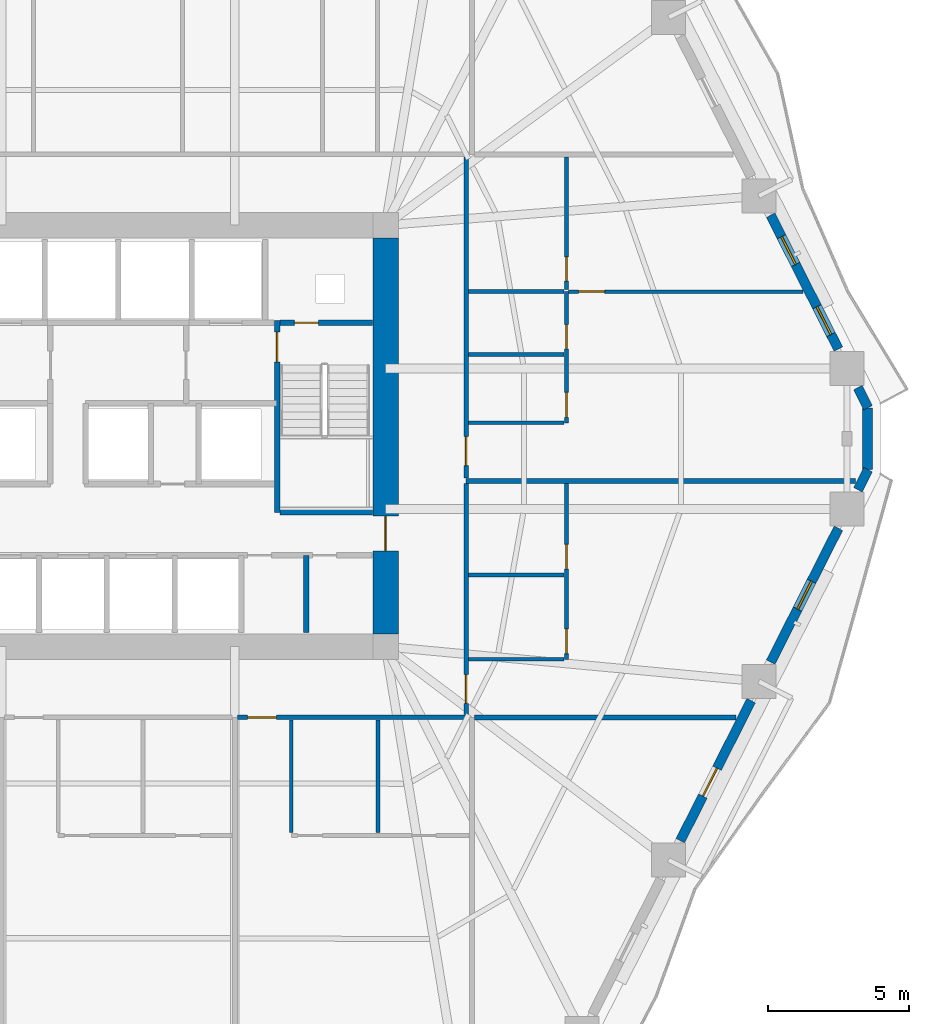
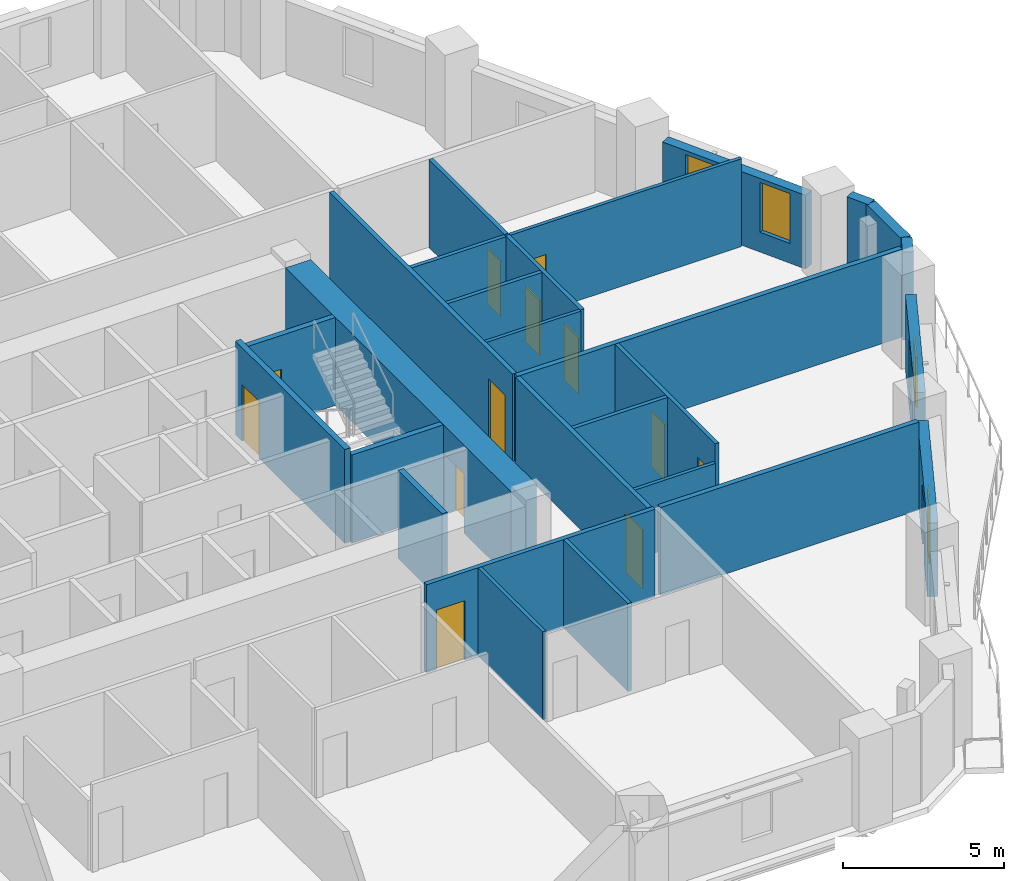
# One storey, part 6 of 14: 27 walls, 13 doors, 3 windows, 16 openings.
"""IFC4 building model written with IfcOpenShell, lengths in metres."""

from ifc_helpers import new_model, si_unit, direction, frame, frame_2d, origin, place, context, subcontext, project, spatial, rectangle, extrude, material, layer, layer_set, type_object, element, fill, save


model = new_model("IFC4")

# Units and contexts
model_context = context("Model", 3, precision=1e-05, world=origin(), true_north=direction((0.0, 1.0)))
body_context = subcontext(model_context, "Body", "Model", "MODEL_VIEW")
ifc_project = project(units=[si_unit("LENGTHUNIT", "METRE"), si_unit("AREAUNIT", "SQUARE_METRE"), si_unit("VOLUMEUNIT", "CUBIC_METRE"), si_unit("PLANEANGLEUNIT", "RADIAN"), si_unit("MASSUNIT", "GRAM", prefix="KILO")], contexts=[model_context])

# Site, building, storey
site_placement = place(None, origin())
site = spatial("IfcSite", under=ifc_project, at=site_placement, CompositionType="ELEMENT")
building_placement = place(site_placement, origin())
building = spatial("IfcBuilding", under=site, at=building_placement, Name="Cinnabar Lancet Tower", CompositionType="ELEMENT")
storey_placement = place(building_placement, frame((0.0, 0.0, 39.10009765625)))
storey = spatial("IfcBuildingStorey", under=building, at=storey_placement, Name="L09", CompositionType="ELEMENT", Elevation=39.10009765625)

# Wall, opening, door
ifc_material_1 = material(Name="Acoustic twin-stud gypsum partition", Category="gypsum")
ifc_layer_1 = layer(ifc_material_1, 0.159912109375)
ifc_layer_set_1 = layer_set([ifc_layer_1], Name="Acoustic twin-stud gypsum partition")
wall_type_1 = type_object("IfcWallType", Name="ARC-WL-CORR-160", PredefinedType="PARTITIONING", material=ifc_layer_set_1)
wall_1_placement = place(storey_placement, frame((36.616943359375, 15.949951171875, 0.0), z_axis=(0.0, 0.0, 1.0), x_axis=(1.0, 0.0, 0.0)))
wall_1 = element("IfcWall", 1, at=wall_1_placement, inside=storey, type_object=wall_type_1, Name="L09 Unit S03 Corridor Wall", PredefinedType="PARTITIONING", context=body_context, shape_type="SweptSolid", body=[
    extrude(rectangle(XDim=8.18798828125, YDim=0.159912109375, at=frame_2d((4.093994140625, 0.0))), origin(), (0.0, 0.0, 1.0), 3.329833984375),
])
opening_1_placement = place(wall_1_placement, frame((0.35498046875, 0.0, 0.0)))
opening_1 = element("IfcOpeningElement", 2, at=opening_1_placement, cuts=wall_1, Name="Opening UD-01", PredefinedType="OPENING", context=body_context, shape_type="SweptSolid", body=[
    extrude(rectangle(XDim=1.02001953125, YDim=2.25, at=frame_2d((0.510009765625, 1.125))), frame((0.0, 0.08984375, 0.0), z_axis=(0.0, -1.0, 0.0), x_axis=(1.0, 0.0, 0.0)), (0.0, 0.0, 1.0), 0.179931640625),
])
ifc_material_2 = material(Name="Solid timber fire-rated apartment entrance door", Category="wood")
door_type_1 = type_object("IfcDoorType", Name="ARC-DR-UNIT", OperationType="NOTDEFINED", PredefinedType="DOOR", material=ifc_material_2)
door_1_placement = place(opening_1_placement, origin())
door_1 = element("IfcDoor", 3, at=door_1_placement, inside=storey, type_object=door_type_1, Name="DR-L09-S03-ENT", OperationType="SINGLE_SWING_LEFT", OverallHeight=2.25, OverallWidth=1.02001953125, PredefinedType="DOOR", context=body_context, shape_type="SweptSolid", body=[
    extrude(rectangle(XDim=1.02001953125, YDim=2.25, at=frame_2d((0.510009765625, 1.125))), frame((0.0, 0.02490234375, 0.0), z_axis=(0.0, -1.0, 0.0), x_axis=(1.0, 0.0, 0.0)), (0.0, 0.0, 1.0), 0.050048828125),
])
fill(opening_1, door_1)

wall_2_placement = place(storey_placement, frame((44.699951171875, 16.044921875, 0.0), z_axis=(0.0, 0.0, 1.0), x_axis=(0.0, 1.0, 0.0)))
wall_2 = element("IfcWall", 4, at=wall_2_placement, inside=storey, type_object=wall_type_1, Name="UW-L09-E01-COR", PredefinedType="PARTITIONING", context=body_context, shape_type="SweptSolid", body=[
    extrude(rectangle(XDim=8.16796875, YDim=0.159912109375, at=frame_2d((4.083984375, 0.0))), origin(), (0.0, 0.0, 1.0), 3.329833984375),
])
opening_2_placement = place(wall_2_placement, frame((0.39990234375, 0.0, 0.0)))
opening_2 = element("IfcOpeningElement", 5, at=opening_2_placement, cuts=wall_2, Name="Opening UD-01", PredefinedType="OPENING", context=body_context, shape_type="SweptSolid", body=[
    extrude(rectangle(XDim=1.02001953125, YDim=2.25, at=frame_2d((0.510009765625, 1.125))), frame((0.0, 0.08984375, 0.0), z_axis=(0.0, -1.0, 0.0), x_axis=(1.0, 0.0, 0.0)), (0.0, 0.0, 1.0), 0.179931640625),
])
door_2_placement = place(opening_2_placement, origin())
door_2 = element("IfcDoor", 6, at=door_2_placement, inside=storey, type_object=door_type_1, Name="DR-L09-E01-ENT", OperationType="SINGLE_SWING_RIGHT", OverallHeight=2.25, OverallWidth=1.02001953125, PredefinedType="DOOR", context=body_context, shape_type="SweptSolid", body=[
    extrude(rectangle(XDim=1.02001953125, YDim=2.25, at=frame_2d((0.510009765625, 1.125))), frame((0.0, 0.02490234375, 0.0), z_axis=(0.0, -1.0, 0.0), x_axis=(1.0, 0.0, 0.0)), (0.0, 0.0, 1.0), 0.050048828125),
])
fill(opening_2, door_2)

wall_3_placement = place(storey_placement, frame((44.699951171875, 24.403076171875, 0.0), z_axis=(0.0, 0.0, 1.0), x_axis=(0.0, 1.0, 0.0)))
wall_3 = element("IfcWall", 7, at=wall_3_placement, inside=storey, type_object=wall_type_1, Name="UW-L09-E02-COR", PredefinedType="PARTITIONING", context=body_context, shape_type="SweptSolid", body=[
    extrude(rectangle(XDim=11.351806640625, YDim=0.159912109375, at=frame_2d((5.67578125, 0.0))), origin(), (0.0, 0.0, 1.0), 3.329833984375),
])
opening_3_placement = place(wall_3_placement, frame((0.449951171875, 0.0, 0.0)))
opening_3 = element("IfcOpeningElement", 8, at=opening_3_placement, cuts=wall_3, Name="Opening UD-01", PredefinedType="OPENING", context=body_context, shape_type="SweptSolid", body=[
    extrude(rectangle(XDim=1.02001953125, YDim=2.25, at=frame_2d((0.510009765625, 1.125))), frame((0.0, 0.08984375, 0.0), z_axis=(0.0, -1.0, 0.0), x_axis=(1.0, 0.0, 0.0)), (0.0, 0.0, 1.0), 0.179931640625),
])
door_3_placement = place(opening_3_placement, origin())
door_3 = element("IfcDoor", 9, at=door_3_placement, inside=storey, type_object=door_type_1, Name="DR-L09-E02-ENT", OperationType="SINGLE_SWING_LEFT", OverallHeight=2.25, OverallWidth=1.02001953125, PredefinedType="DOOR", context=body_context, shape_type="SweptSolid", body=[
    extrude(rectangle(XDim=1.02001953125, YDim=2.25, at=frame_2d((0.510009765625, 1.125))), frame((0.0, 0.02490234375, 0.0), z_axis=(0.0, -1.0, 0.0), x_axis=(1.0, 0.0, 0.0)), (0.0, 0.0, 1.0), 0.050048828125),
])
fill(opening_3, door_3)

# Walls
ifc_material_3 = material(Name="Fire-rated twin-frame acoustic drywall", Category="gypsum")
ifc_layer_2 = layer(ifc_material_3, 0.179931640625)
ifc_layer_set_2 = layer_set([ifc_layer_2], Name="Fire-rated twin-frame acoustic drywall")
wall_type_2 = type_object("IfcWallType", Name="ARC-WL-PARTY-180", PredefinedType="PARTITIONING", material=ifc_layer_set_2)
wall_4_placement = place(storey_placement, frame((44.9951171875, 15.949951171875, 0.0), z_axis=(0.0, 0.0, 1.0), x_axis=(1.0, 0.0, 0.0)))
element("IfcWall", 10, at=wall_4_placement, inside=storey, type_object=wall_type_2, Name="PW-L09-ESB", PredefinedType="PARTITIONING", context=body_context, shape_type="SweptSolid", body=[
    extrude(rectangle(XDim=9.240966796875, YDim=0.179931640625, at=frame_2d((4.62060546875, 0.0))), origin(), (0.0, 0.0, 1.0), 3.329833984375),
])
wall_5_placement = place(storey_placement, frame((44.699951171875, 24.30810546875, 0.0), z_axis=(0.0, 0.0, 1.0), x_axis=(1.0, 0.0, 0.0)))
element("IfcWall", 11, at=wall_5_placement, inside=storey, type_object=wall_type_2, Name="PW-L09-EPTY-1", PredefinedType="PARTITIONING", context=body_context, shape_type="SweptSolid", body=[
    extrude(rectangle(XDim=13.76611328125, YDim=0.179931640625, at=frame_2d((6.883056640625, 0.0))), origin(), (0.0, 0.0, 1.0), 3.329833984375),
])
ifc_material_4 = material(Name="Autoclaved aerated concrete blockwork", Category="masonry")
ifc_layer_3 = layer(ifc_material_4, 0.199951171875)
ifc_layer_set_3 = layer_set([ifc_layer_3], Name="Autoclaved aerated concrete blockwork")
wall_type_3 = type_object("IfcWallType", Name="ARC-WL-SHAFT-200", PredefinedType="PLUMBINGWALL", material=ifc_layer_set_3)
wall_6_placement = place(storey_placement, frame((38.125, 23.199951171875, 0.0), z_axis=(0.0, 0.0, 1.0), x_axis=(1.0, 0.0, 0.0)))
element("IfcWall", 12, at=wall_6_placement, inside=storey, type_object=wall_type_3, Name="CW-ST2S-L09", PredefinedType="PLUMBINGWALL", context=body_context, shape_type="SweptSolid", body=[
    extrude(rectangle(XDim=3.27001953125, YDim=0.199951171875, at=frame_2d((1.635009765625, 0.0))), origin(), (0.0, 0.0, 1.0), 3.329833984375),
])

# Wall, opening, door
wall_7_placement = place(storey_placement, frame((38.125, 29.89990234375, 0.0), z_axis=(0.0, 0.0, 1.0), x_axis=(1.0, 0.0, 0.0)))
wall_7 = element("IfcWall", 13, at=wall_7_placement, inside=storey, type_object=wall_type_3, Name="CW-NSH-E-L09", PredefinedType="PLUMBINGWALL", context=body_context, shape_type="SweptSolid", body=[
    extrude(rectangle(XDim=3.27001953125, YDim=0.199951171875, at=frame_2d((1.635009765625, 0.0))), origin(), (0.0, 0.0, 1.0), 3.329833984375),
])
opening_4_placement = place(wall_7_placement, frame((0.5, 0.0, 0.0)))
opening_4 = element("IfcOpeningElement", 14, at=opening_4_placement, cuts=wall_7, Name="Opening PD-02", PredefinedType="OPENING", context=body_context, shape_type="SweptSolid", body=[
    extrude(rectangle(XDim=0.85009765625, YDim=2.050048828125, at=frame_2d((0.425048828125, 1.02490234375))), frame((0.0, 0.10986328125, 0.0), z_axis=(0.0, -1.0, 0.0), x_axis=(1.0, 0.0, 0.0)), (0.0, 0.0, 1.0), 0.219970703125),
])
ifc_material_5 = material(Name="Fire-rated steel riser access door", Category="steel")
door_type_2 = type_object("IfcDoorType", Name="ARC-DR-RISER", OperationType="NOTDEFINED", PredefinedType="DOOR", material=ifc_material_5)
door_4_placement = place(opening_4_placement, origin())
door_4 = element("IfcDoor", 15, at=door_4_placement, inside=storey, type_object=door_type_2, Name="L09 East Riser Access Door", OperationType="SINGLE_SWING_RIGHT", OverallHeight=2.050048828125, OverallWidth=0.85009765625, PredefinedType="DOOR", context=body_context, shape_type="SweptSolid", body=[
    extrude(rectangle(XDim=0.85009765625, YDim=2.050048828125, at=frame_2d((0.425048828125, 1.02490234375))), frame((0.0, 0.02490234375, 0.0), z_axis=(0.0, -1.0, 0.0), x_axis=(1.0, 0.0, 0.0)), (0.0, 0.0, 1.0), 0.050048828125),
])
fill(opening_4, door_4)

# Walls
wall_8_placement = place(storey_placement, frame((39.050048828125, 18.949951171875, 0.0), z_axis=(0.0, 0.0, 1.0), x_axis=(0.0, 1.0, 0.0)))
element("IfcWall", 16, at=wall_8_placement, inside=storey, type_object=wall_type_3, Name="CW-SB-SE-L09", PredefinedType="PLUMBINGWALL", context=body_context, shape_type="SweptSolid", body=[
    extrude(rectangle(XDim=2.72998046875, YDim=0.199951171875, at=frame_2d((1.364990234375, 0.0))), origin(), (0.0, 0.0, 1.0), 3.329833984375),
])
ifc_material_6 = material(Name="Gypsum plasterboard stud partition", Category="gypsum")
ifc_layer_4 = layer(ifc_material_6, 0.125)
ifc_layer_set_4 = layer_set([ifc_layer_4], Name="Gypsum plasterboard stud partition")
wall_type_4 = type_object("IfcWallType", Name="ARC-WL-UNIT-125", PredefinedType="PARTITIONING", material=ifc_layer_set_4)
wall_9_placement = place(storey_placement, frame((38.52197265625, 11.8720703125, 0.0), z_axis=(0.0, 0.0, 1.0), x_axis=(0.0, 1.0, 0.0)))
element("IfcWall", 17, at=wall_9_placement, inside=storey, type_object=wall_type_4, Name="UW-L09-S03-FOYE", PredefinedType="PARTITIONING", context=body_context, shape_type="SweptSolid", body=[
    extrude(rectangle(XDim=3.992919921875, YDim=0.125, at=frame_2d((1.99658203125, 0.0))), origin(), (0.0, 0.0, 1.0), 3.329833984375),
])
wall_10_placement = place(storey_placement, frame((44.784912109375, 18.0, 0.0), z_axis=(0.0, 0.0, 1.0), x_axis=(1.0, 0.0, 0.0)))
element("IfcWall", 18, at=wall_10_placement, inside=storey, type_object=wall_type_4, Name="UW-L09-E01-FOYN", PredefinedType="PARTITIONING", context=body_context, shape_type="SweptSolid", body=[
    extrude(rectangle(XDim=3.380126953125, YDim=0.125, at=frame_2d((1.68994140625, 0.0))), origin(), (0.0, 0.0, 1.0), 2.635986328125),
])
wall_11_placement = place(storey_placement, frame((44.784912109375, 26.35791015625, 0.0), z_axis=(0.0, 0.0, 1.0), x_axis=(1.0, 0.0, 0.0)))
element("IfcWall", 19, at=wall_11_placement, inside=storey, type_object=wall_type_4, Name="UW-L09-E02-FOYN", PredefinedType="PARTITIONING", context=body_context, shape_type="SweptSolid", body=[
    extrude(rectangle(XDim=3.380126953125, YDim=0.125, at=frame_2d((1.68994140625, 0.0))), origin(), (0.0, 0.0, 1.0), 3.329833984375),
])

# Wall, opening, door
wall_12_placement = place(storey_placement, frame((48.324951171875, 31.001953125, 0.0), z_axis=(0.0, 0.0, 1.0), x_axis=(1.0, 0.0, 0.0)))
wall_12 = element("IfcWall", 20, at=wall_12_placement, inside=storey, type_object=wall_type_4, Name="UW-L09-E02-MBN", PredefinedType="PARTITIONING", context=body_context, shape_type="SweptSolid", body=[
    extrude(rectangle(XDim=8.279052734375, YDim=0.125, at=frame_2d((4.1396484375, 0.0))), origin(), (0.0, 0.0, 1.0), 3.329833984375),
])
opening_5_placement = place(wall_12_placement, frame((0.35009765625, 0.0, 0.0)))
opening_5 = element("IfcOpeningElement", 21, at=opening_5_placement, cuts=wall_12, Name="Opening RD-01", PredefinedType="OPENING", context=body_context, shape_type="SweptSolid", body=[
    extrude(rectangle(XDim=0.919921875, YDim=2.14990234375, at=frame_2d((0.4599609375, 1.074951171875))), frame((0.0, 0.072509765625, 0.0), z_axis=(0.0, -1.0, 0.0), x_axis=(1.0, 0.0, 0.0)), (0.0, 0.0, 1.0), 0.14501953125),
])
ifc_material_7 = material(Name="Engineered timber bedroom door", Category="wood")
door_type_3 = type_object("IfcDoorType", Name="ARC-DR-ROOM", OperationType="NOTDEFINED", PredefinedType="DOOR", material=ifc_material_7)
door_5_placement = place(opening_5_placement, origin())
door_5 = element("IfcDoor", 22, at=door_5_placement, inside=storey, type_object=door_type_3, Name="DR-L09-E02-MBD", OperationType="SINGLE_SWING_LEFT", OverallHeight=2.14990234375, OverallWidth=0.919921875, PredefinedType="DOOR", context=body_context, shape_type="SweptSolid", body=[
    extrude(rectangle(XDim=0.919921875, YDim=2.14990234375, at=frame_2d((0.4599609375, 1.074951171875))), frame((0.0, 0.02490234375, 0.0), z_axis=(0.0, -1.0, 0.0), x_axis=(1.0, 0.0, 0.0)), (0.0, 0.0, 1.0), 0.050048828125),
])
fill(opening_5, door_5)

# Wall
ifc_material_8 = material(Name="Moisture-resistant cement-board plumbing wall", Category="masonry")
ifc_layer_5 = layer(ifc_material_8, 0.139892578125)
ifc_layer_set_5 = layer_set([ifc_layer_5], Name="Moisture-resistant cement-board plumbing wall")
wall_type_5 = type_object("IfcWallType", Name="ARC-WL-WET-140", PredefinedType="PLUMBINGWALL", material=ifc_layer_set_5)
wall_13_placement = place(storey_placement, frame((41.5830078125, 11.8720703125, 0.0), z_axis=(0.0, 0.0, 1.0), x_axis=(0.0, 1.0, 0.0)))
element("IfcWall", 23, at=wall_13_placement, inside=storey, type_object=wall_type_5, Name="UW-L09-S03-KDV", PredefinedType="PLUMBINGWALL", context=body_context, shape_type="SweptSolid", body=[
    extrude(rectangle(XDim=3.992919921875, YDim=0.139892578125, at=frame_2d((1.99658203125, 0.0))), origin(), (0.0, 0.0, 1.0), 3.329833984375),
])

# Wall, openings, doors
wall_14_placement = place(storey_placement, frame((48.25, 18.0, 0.0), z_axis=(0.0, 0.0, 1.0), x_axis=(0.0, 1.0, 0.0)))
wall_14 = element("IfcWall", 24, at=wall_14_placement, inside=storey, type_object=wall_type_5, Name="UW-L09-E01-SPL", PredefinedType="PLUMBINGWALL", context=body_context, shape_type="SweptSolid", body=[
    extrude(rectangle(XDim=6.212890625, YDim=0.139892578125, at=frame_2d((3.1064453125, 0.0))), origin(), (0.0, 0.0, 1.0), 3.329833984375),
])
opening_6_placement = place(wall_14_placement, frame((3.201904296875, 0.0, 0.0)))
opening_6 = element("IfcOpeningElement", 25, at=opening_6_placement, cuts=wall_14, Name="Opening BD-01", PredefinedType="OPENING", context=body_context, shape_type="SweptSolid", body=[
    extrude(rectangle(XDim=0.860107421875, YDim=2.10009765625, at=frame_2d((0.43017578125, 1.050048828125))), frame((0.0, 0.079833984375, 0.0), z_axis=(0.0, -1.0, 0.0), x_axis=(1.0, 0.0, 0.0)), (0.0, 0.0, 1.0), 0.159912109375),
])
opening_7_placement = place(wall_14_placement, frame((0.199951171875, 0.0, 0.0)))
opening_7 = element("IfcOpeningElement", 26, at=opening_7_placement, cuts=wall_14, Name="Opening RD-02", PredefinedType="OPENING", context=body_context, shape_type="SweptSolid", body=[
    extrude(rectangle(XDim=0.8798828125, YDim=2.14990234375, at=frame_2d((0.43994140625, 1.074951171875))), frame((0.0, 0.079833984375, 0.0), z_axis=(0.0, -1.0, 0.0), x_axis=(1.0, 0.0, 0.0)), (0.0, 0.0, 1.0), 0.159912109375),
])
ifc_material_9 = material(Name="Moisture-resistant timber bathroom door", Category="wood")
door_type_4 = type_object("IfcDoorType", Name="ARC-DR-BATH", OperationType="NOTDEFINED", PredefinedType="DOOR", material=ifc_material_9)
door_6_placement = place(opening_6_placement, origin())
door_6 = element("IfcDoor", 27, at=door_6_placement, inside=storey, type_object=door_type_4, Name="DR-L09-E01-BTH", OperationType="SINGLE_SWING_RIGHT", OverallHeight=2.10009765625, OverallWidth=0.860107421875, PredefinedType="DOOR", context=body_context, shape_type="SweptSolid", body=[
    extrude(rectangle(XDim=0.860107421875, YDim=2.10009765625, at=frame_2d((0.43017578125, 1.050048828125))), frame((0.0, 0.02490234375, 0.0), z_axis=(0.0, -1.0, 0.0), x_axis=(1.0, 0.0, 0.0)), (0.0, 0.0, 1.0), 0.050048828125),
])
fill(opening_6, door_6)
ifc_material_10 = material(Name="Engineered timber study door", Category="wood")
door_type_5 = type_object("IfcDoorType", Name="ARC-DR-STUDY", OperationType="NOTDEFINED", PredefinedType="DOOR", material=ifc_material_10)
door_7_placement = place(opening_7_placement, origin())
door_7 = element("IfcDoor", 28, at=door_7_placement, inside=storey, type_object=door_type_5, Name="DR-L09-E01-KIT", OperationType="SINGLE_SWING_LEFT", OverallHeight=2.14990234375, OverallWidth=0.8798828125, PredefinedType="DOOR", context=body_context, shape_type="SweptSolid", body=[
    extrude(rectangle(XDim=0.8798828125, YDim=2.14990234375, at=frame_2d((0.43994140625, 1.074951171875))), frame((0.0, 0.02490234375, 0.0), z_axis=(0.0, -1.0, 0.0), x_axis=(1.0, 0.0, 0.0)), (0.0, 0.0, 1.0), 0.050048828125),
])
fill(opening_7, door_7)

# Wall
wall_15_placement = place(storey_placement, frame((44.784912109375, 20.98193359375, 0.0), z_axis=(0.0, 0.0, 1.0), x_axis=(1.0, 0.0, 0.0)))
element("IfcWall", 29, at=wall_15_placement, inside=storey, type_object=wall_type_5, Name="UW-L09-E01-KDV", PredefinedType="PLUMBINGWALL", context=body_context, shape_type="SweptSolid", body=[
    extrude(rectangle(XDim=3.380126953125, YDim=0.139892578125, at=frame_2d((1.68994140625, 0.0))), origin(), (0.0, 0.0, 1.0), 3.329833984375),
])

# Wall, openings, doors
wall_16_placement = place(storey_placement, frame((48.25, 26.35791015625, 0.0), z_axis=(0.0, 0.0, 1.0), x_axis=(0.0, 1.0, 0.0)))
wall_16 = element("IfcWall", 30, at=wall_16_placement, inside=storey, type_object=wall_type_5, Name="UW-L09-E02-SPL", PredefinedType="PLUMBINGWALL", context=body_context, shape_type="SweptSolid", body=[
    extrude(rectangle(XDim=4.64404296875, YDim=0.139892578125, at=frame_2d((2.322021484375, 0.0))), origin(), (0.0, 0.0, 1.0), 3.329833984375),
])
opening_8_placement = place(wall_16_placement, frame((0.199951171875, 0.0, 0.0)))
opening_8 = element("IfcOpeningElement", 31, at=opening_8_placement, cuts=wall_16, Name="Opening RD-02", PredefinedType="OPENING", context=body_context, shape_type="SweptSolid", body=[
    extrude(rectangle(XDim=0.8798828125, YDim=2.14990234375, at=frame_2d((0.43994140625, 1.074951171875))), frame((0.0, 0.079833984375, 0.0), z_axis=(0.0, -1.0, 0.0), x_axis=(1.0, 0.0, 0.0)), (0.0, 0.0, 1.0), 0.159912109375),
])
opening_9_placement = place(wall_16_placement, frame((2.614990234375, 0.0, 0.0)))
opening_9 = element("IfcOpeningElement", 32, at=opening_9_placement, cuts=wall_16, Name="Opening BD-01", PredefinedType="OPENING", context=body_context, shape_type="SweptSolid", body=[
    extrude(rectangle(XDim=0.860107421875, YDim=2.10009765625, at=frame_2d((0.43017578125, 1.050048828125))), frame((0.0, 0.079833984375, 0.0), z_axis=(0.0, -1.0, 0.0), x_axis=(1.0, 0.0, 0.0)), (0.0, 0.0, 1.0), 0.159912109375),
])
door_8_placement = place(opening_9_placement, origin())
door_8 = element("IfcDoor", 33, at=door_8_placement, inside=storey, type_object=door_type_4, Name="DR-L09-E02-BTH", OperationType="SINGLE_SWING_LEFT", OverallHeight=2.10009765625, OverallWidth=0.860107421875, PredefinedType="DOOR", context=body_context, shape_type="SweptSolid", body=[
    extrude(rectangle(XDim=0.860107421875, YDim=2.10009765625, at=frame_2d((0.43017578125, 1.050048828125))), frame((0.0, 0.02490234375, 0.0), z_axis=(0.0, -1.0, 0.0), x_axis=(1.0, 0.0, 0.0)), (0.0, 0.0, 1.0), 0.050048828125),
])
fill(opening_9, door_8)
door_9_placement = place(opening_8_placement, origin())
door_9 = element("IfcDoor", 34, at=door_9_placement, inside=storey, type_object=door_type_5, Name="DR-L09-E02-KIT", OperationType="SINGLE_SWING_RIGHT", OverallHeight=2.14990234375, OverallWidth=0.8798828125, PredefinedType="DOOR", context=body_context, shape_type="SweptSolid", body=[
    extrude(rectangle(XDim=0.8798828125, YDim=2.14990234375, at=frame_2d((0.43994140625, 1.074951171875))), frame((0.0, 0.02490234375, 0.0), z_axis=(0.0, -1.0, 0.0), x_axis=(1.0, 0.0, 0.0)), (0.0, 0.0, 1.0), 0.050048828125),
])
fill(opening_8, door_9)

# Wall, opening, door
wall_17_placement = place(storey_placement, frame((48.25, 31.072021484375, 0.0), z_axis=(0.0, 0.0, 1.0), x_axis=(0.0, 1.0, 0.0)))
wall_17 = element("IfcWall", 35, at=wall_17_placement, inside=storey, type_object=wall_type_5, Name="UW-L09-E02-SPM", PredefinedType="PLUMBINGWALL", context=body_context, shape_type="SweptSolid", body=[
    extrude(rectangle(XDim=4.682861328125, YDim=0.139892578125, at=frame_2d((2.34130859375, 0.0))), origin(), (0.0, 0.0, 1.0), 3.329833984375),
])
opening_10_placement = place(wall_17_placement, frame((0.300048828125, 0.0, 0.0)))
opening_10 = element("IfcOpeningElement", 36, at=opening_10_placement, cuts=wall_17, Name="Opening BD-01", PredefinedType="OPENING", context=body_context, shape_type="SweptSolid", body=[
    extrude(rectangle(XDim=0.860107421875, YDim=2.10009765625, at=frame_2d((0.43017578125, 1.050048828125))), frame((0.0, 0.079833984375, 0.0), z_axis=(0.0, -1.0, 0.0), x_axis=(1.0, 0.0, 0.0)), (0.0, 0.0, 1.0), 0.159912109375),
])
door_10_placement = place(opening_10_placement, origin())
door_10 = element("IfcDoor", 37, at=door_10_placement, inside=storey, type_object=door_type_4, Name="DR-L09-E02-ENS", OperationType="SINGLE_SWING_LEFT", OverallHeight=2.10009765625, OverallWidth=0.860107421875, PredefinedType="DOOR", context=body_context, shape_type="SweptSolid", body=[
    extrude(rectangle(XDim=0.860107421875, YDim=2.10009765625, at=frame_2d((0.43017578125, 1.050048828125))), frame((0.0, 0.02490234375, 0.0), z_axis=(0.0, -1.0, 0.0), x_axis=(1.0, 0.0, 0.0)), (0.0, 0.0, 1.0), 0.050048828125),
])
fill(opening_10, door_10)

# Walls
for number, where, z_axis, x_axis, name in (
    (38, (44.784912109375, 31.001953125, 0.0), (0.0, 0.0, 1.0), (1.0, 0.0, 0.0), "UW-L09-E02-ENSN"),
    (39, (44.784912109375, 28.77294921875, 0.0), (0.0, 0.0, 1.0), (1.0, 0.0, 0.0), "UW-L09-E02-KDV"),
):
    element("IfcWall", number, at=place(storey_placement, frame(where, z_axis=z_axis, x_axis=x_axis)), inside=storey, type_object=wall_type_5, Name=name, PredefinedType="PLUMBINGWALL", context=body_context, shape_type="SweptSolid", body=[
        extrude(rectangle(XDim=3.380126953125, YDim=0.139892578125, at=frame_2d((1.68994140625, 0.0))), origin(), (0.0, 0.0, 1.0), 3.329833984375),
    ])
ifc_material_11 = material(Name="Cinnabar red clay brick", Category="masonry")
ifc_layer_6 = layer(ifc_material_11, 0.340087890625)
ifc_layer_set_6 = layer_set([ifc_layer_6], Name="Cinnabar red clay brick")
wall_type_6 = type_object("IfcWallType", Name="ENV-WL-BRK-RED-340", PredefinedType="STANDARD", material=ifc_layer_set_6)
wall_18_placement = place(storey_placement, frame((58.887939453125, 24.714111328125, 0.0), z_axis=(0.0, 0.0, 1.0), x_axis=(0.0, 1.0, 0.0)))
element("IfcWall", 40, at=wall_18_placement, inside=storey, type_object=wall_type_6, Name="L09 Chamfered Corner Brick Pier 3.1", PredefinedType="STANDARD", context=body_context, shape_type="SweptSolid", body=[
    extrude(rectangle(XDim=2.171875, YDim=0.340087890625, at=frame_2d((1.0859375, 0.0))), origin(), (0.0, 0.0, 1.0), 3.329833984375),
])

# Wall, opening, door
wall_19_placement = place(storey_placement, frame((52.27099609375, 11.590087890625, 0.0), z_axis=(0.0, 0.0, 1.0), x_axis=(0.451592100298, 0.892224509273, 0.0)))
wall_19 = element("IfcWall", 41, at=wall_19_placement, inside=storey, type_object=wall_type_6, Name="L09 Face 2 Masonry Bay Wall 3", PredefinedType="STANDARD", context=body_context, shape_type="SweptSolid", body=[
    extrude(rectangle(XDim=5.546875, YDim=0.340087890625, at=frame_2d((2.7734375, 0.0))), origin(), (0.0, 0.0, 1.0), 2.786865234375),
])
opening_11_placement = place(wall_19_placement, frame((1.76806640625, 0.0, 0.0)))
opening_11 = element("IfcOpeningElement", 42, at=opening_11_placement, cuts=wall_19, Name="Opening TD-01", PredefinedType="OPENING", context=body_context, shape_type="SweptSolid", body=[
    extrude(rectangle(XDim=1.10009765625, YDim=2.25, at=frame_2d((0.550048828125, 1.125))), frame((0.0, 0.179931640625, 0.0), z_axis=(0.0, -1.0, 0.0), x_axis=(1.0, 0.0, 0.0)), (0.0, 0.0, 1.0), 0.360107421875),
])
ifc_material_12 = material(Name="Thermally broken low-E glazed balcony terrace door", Category="wood")
door_type_6 = type_object("IfcDoorType", Name="ARC-DR-BALC", OperationType="NOTDEFINED", PredefinedType="DOOR", material=ifc_material_12)
door_11_placement = place(opening_11_placement, origin())
door_11 = element("IfcDoor", 43, at=door_11_placement, inside=storey, type_object=door_type_6, Name="L09 Face 2 Glazed Terrace Door", OperationType="SINGLE_SWING_RIGHT", OverallHeight=2.25, OverallWidth=1.10009765625, PredefinedType="DOOR", context=body_context, shape_type="SweptSolid", body=[
    extrude(rectangle(XDim=1.10009765625, YDim=2.25, at=frame_2d((0.550048828125, 1.125))), frame((0.0, 0.02490234375, 0.0), z_axis=(0.0, -1.0, 0.0), x_axis=(1.0, 0.0, 0.0)), (0.0, 0.0, 1.0), 0.050048828125),
])
fill(opening_11, door_11)

# Wall, opening, window
wall_20_placement = place(storey_placement, frame((55.465087890625, 17.90087890625, 0.0), z_axis=(0.0, 0.0, 1.0), x_axis=(0.451572088722, 0.892234637686, 0.0)))
wall_20 = element("IfcWall", 44, at=wall_20_placement, inside=storey, type_object=wall_type_6, Name="L09 Face 2 Masonry Bay Wall 4", PredefinedType="STANDARD", context=body_context, shape_type="SweptSolid", body=[
    extrude(rectangle(XDim=5.3037109375, YDim=0.340087890625, at=frame_2d((2.65185546875, 0.0))), origin(), (0.0, 0.0, 1.0), 2.786865234375),
])
opening_12_placement = place(wall_20_placement, frame((2.10205078125, 0.0, 0.75)))
opening_12 = element("IfcOpeningElement", 45, at=opening_12_placement, cuts=wall_20, Name="Opening WN-04", PredefinedType="OPENING", context=body_context, shape_type="SweptSolid", body=[
    extrude(rectangle(XDim=1.10009765625, YDim=1.886962890625, at=frame_2d((0.550048828125, 0.943359375))), frame((0.0, 0.179931640625, 0.0), z_axis=(0.0, -1.0, 0.0), x_axis=(1.0, 0.0, 0.0)), (0.0, 0.0, 1.0), 0.360107421875),
])
ifc_material_13 = material(Name="Thermally broken bronze-anodized aluminium tall lancet window", Category="aluminium")
window_type = type_object("IfcWindowType", Name="ENV-WN-LANCET-1100", PartitioningType="SINGLE_PANEL", PredefinedType="WINDOW", material=ifc_material_13)
window_1_placement = place(opening_12_placement, origin())
window_1 = element("IfcWindow", 46, at=window_1_placement, inside=storey, type_object=window_type, Name="L09 Face 2 Gothic Lancet Window 4", OverallHeight=1.886962890625, OverallWidth=1.10009765625, PartitioningType="SINGLE_PANEL", PredefinedType="WINDOW", context=body_context, shape_type="SweptSolid", body=[
    extrude(rectangle(XDim=1.10009765625, YDim=1.886962890625, at=frame_2d((0.550048828125, 0.943359375))), frame((0.0, 0.030029296875, 0.0), z_axis=(0.0, -1.0, 0.0), x_axis=(1.0, 0.0, 0.0)), (0.0, 0.0, 1.0), 0.06005859375),
])
fill(opening_12, window_1)

# Walls
for number, where, z_axis, x_axis, name in (
    (47, (58.548095703125, 23.9951171875, 0.0), (0.0, 0.0, 1.0), (0.452101093511, 0.891966704113, 0.0), "L09 Face 2 Masonry Bay Wall 5"),
    (48, (58.908935546875, 26.89306640625, 0.0), (0.0, 0.0, 1.0), (-0.452101093511, 0.891966704113, 0.0), "L09 Face 3 Masonry Bay Wall 1"),
):
    element("IfcWall", number, at=place(storey_placement, frame(where, z_axis=z_axis, x_axis=x_axis)), inside=storey, type_object=wall_type_6, Name=name, PredefinedType="STANDARD", context=body_context, shape_type="SweptSolid", body=[
        extrude(rectangle(XDim=0.798095703125, YDim=0.340087890625, at=frame_2d((0.39892578125, 0.0))), origin(), (0.0, 0.0, 1.0), 3.329833984375),
    ])

# Wall, openings, windows
wall_21_placement = place(storey_placement, frame((57.860107421875, 28.967041015625, 0.0), z_axis=(0.0, 0.0, 1.0), x_axis=(-0.451590635984, 0.892225250422, 0.0)))
wall_21 = element("IfcWall", 49, at=wall_21_placement, inside=storey, type_object=wall_type_6, Name="L09 Face 3 Masonry Bay Wall 2", PredefinedType="STANDARD", context=body_context, shape_type="SweptSolid", body=[
    extrude(rectangle(XDim=5.303466796875, YDim=0.340087890625, at=frame_2d((2.65185546875, 0.0))), origin(), (0.0, 0.0, 1.0), 2.786865234375),
])
opening_13_placement = place(wall_21_placement, frame((0.5810546875, 0.0, 0.75)))
opening_13 = element("IfcOpeningElement", 50, at=opening_13_placement, cuts=wall_21, Name="Opening WN-04", PredefinedType="OPENING", context=body_context, shape_type="SweptSolid", body=[
    extrude(rectangle(XDim=1.10009765625, YDim=1.886962890625, at=frame_2d((0.550048828125, 0.943359375))), frame((0.0, 0.179931640625, 0.0), z_axis=(0.0, -1.0, 0.0), x_axis=(1.0, 0.0, 0.0)), (0.0, 0.0, 1.0), 0.360107421875),
])
opening_14_placement = place(wall_21_placement, frame((3.35302734375, 0.0, 0.75)))
opening_14 = element("IfcOpeningElement", 51, at=opening_14_placement, cuts=wall_21, Name="Opening WN-04", PredefinedType="OPENING", context=body_context, shape_type="SweptSolid", body=[
    extrude(rectangle(XDim=1.10009765625, YDim=1.886962890625, at=frame_2d((0.550048828125, 0.943359375))), frame((0.0, 0.179931640625, 0.0), z_axis=(0.0, -1.0, 0.0), x_axis=(1.0, 0.0, 0.0)), (0.0, 0.0, 1.0), 0.360107421875),
])
window_2_placement = place(opening_13_placement, origin())
window_2 = element("IfcWindow", 52, at=window_2_placement, inside=storey, type_object=window_type, Name="L09 Face 3 Gothic Lancet Window 2", OverallHeight=1.886962890625, OverallWidth=1.10009765625, PartitioningType="SINGLE_PANEL", PredefinedType="WINDOW", context=body_context, shape_type="SweptSolid", body=[
    extrude(rectangle(XDim=1.10009765625, YDim=1.886962890625, at=frame_2d((0.550048828125, 0.943359375))), frame((0.0, 0.030029296875, 0.0), z_axis=(0.0, -1.0, 0.0), x_axis=(1.0, 0.0, 0.0)), (0.0, 0.0, 1.0), 0.06005859375),
])
fill(opening_13, window_2)
window_3_placement = place(opening_14_placement, origin())
window_3 = element("IfcWindow", 53, at=window_3_placement, inside=storey, type_object=window_type, Name="L09 Split-Bay Gothic Lancet Window 16", OverallHeight=1.886962890625, OverallWidth=1.10009765625, PartitioningType="SINGLE_PANEL", PredefinedType="WINDOW", context=body_context, shape_type="SweptSolid", body=[
    extrude(rectangle(XDim=1.10009765625, YDim=1.886962890625, at=frame_2d((0.550048828125, 0.943359375))), frame((0.0, 0.030029296875, 0.0), z_axis=(0.0, -1.0, 0.0), x_axis=(1.0, 0.0, 0.0)), (0.0, 0.0, 1.0), 0.06005859375),
])
fill(opening_14, window_3)

# Wall, opening, door
ifc_material_14 = material(Name="Concrete C80/95", Category="concrete")
ifc_layer_7 = layer(ifc_material_14, 0.89990234375)
ifc_layer_set_7 = layer_set([ifc_layer_7], Name="Concrete C80/95")
wall_type_7 = type_object("IfcWallType", Name="STR-WL-CORE-900", PredefinedType="SHEAR", material=ifc_layer_set_7)
wall_22_placement = place(storey_placement, frame((41.85009765625, 18.89990234375, 0.0), z_axis=(0.0, 0.0, 1.0), x_axis=(0.0, 1.0, 0.0)))
wall_22 = element("IfcWall", 54, at=wall_22_placement, inside=storey, type_object=wall_type_7, Name="L09 Core Shear Wall E", PredefinedType="SHEAR", context=body_context, shape_type="SweptSolid", body=[
    extrude(rectangle(XDim=14.0, YDim=0.89990234375, at=frame_2d((7.0, 0.0))), origin(), (0.0, 0.0, 1.0), 3.329833984375),
])
opening_15_placement = place(wall_22_placement, frame((2.93994140625, 0.0, 0.0)))
opening_15 = element("IfcOpeningElement", 55, at=opening_15_placement, cuts=wall_22, Name="Opening FD-02", PredefinedType="OPENING", context=body_context, shape_type="SweptSolid", body=[
    extrude(rectangle(XDim=1.219970703125, YDim=2.25, at=frame_2d((0.60986328125, 1.125))), frame((0.0, 0.4599609375, 0.0), z_axis=(0.0, -1.0, 0.0), x_axis=(1.0, 0.0, 0.0)), (0.0, 0.0, 1.0), 0.919921875),
])
ifc_material_15 = material(Name="Fire-rated double-vision core portal door", Category="wood")
door_type_7 = type_object("IfcDoorType", Name="ARC-DR-CPORT", OperationType="NOTDEFINED", PredefinedType="DOOR", material=ifc_material_15)
door_12_placement = place(opening_15_placement, origin())
door_12 = element("IfcDoor", 56, at=door_12_placement, inside=storey, type_object=door_type_7, Name="L09 East Core Lobby Fire Door", OperationType="SINGLE_SWING_LEFT", OverallHeight=2.25, OverallWidth=1.219970703125, PredefinedType="DOOR", context=body_context, shape_type="SweptSolid", body=[
    extrude(rectangle(XDim=1.219970703125, YDim=2.25, at=frame_2d((0.60986328125, 1.125))), frame((0.0, 0.02490234375, 0.0), z_axis=(0.0, -1.0, 0.0), x_axis=(1.0, 0.0, 0.0)), (0.0, 0.0, 1.0), 0.050048828125),
])
fill(opening_15, door_12)

ifc_material_16 = material(Name="Concrete C50/60", Category="concrete")
ifc_layer_8 = layer(ifc_material_16, 0.199951171875)
ifc_layer_set_8 = layer_set([ifc_layer_8], Name="Concrete C50/60")
wall_type_8 = type_object("IfcWallType", Name="STR-WL-STAIR-200", PredefinedType="SHEAR", material=ifc_layer_set_8)
wall_23_placement = place(storey_placement, frame((38.02001953125, 23.199951171875, 0.0), z_axis=(0.0, 0.0, 1.0), x_axis=(0.0, 1.0, 0.0)))
wall_23 = element("IfcWall", 57, at=wall_23_placement, inside=storey, type_object=wall_type_8, Name="L09 Stair ST-2 Structural Enclosure Wall", PredefinedType="SHEAR", context=body_context, shape_type="SweptSolid", body=[
    extrude(rectangle(XDim=6.780029296875, YDim=0.199951171875, at=frame_2d((3.39013671875, 0.0))), origin(), (0.0, 0.0, 1.0), 3.5498046875),
])
opening_16_placement = place(wall_23_placement, frame((5.320068359375, 0.0, 0.0)))
opening_16 = element("IfcOpeningElement", 58, at=opening_16_placement, cuts=wall_23, Name="Opening SD-01", PredefinedType="OPENING", context=body_context, shape_type="SweptSolid", body=[
    extrude(rectangle(XDim=1.050048828125, YDim=2.14990234375, at=frame_2d((0.52490234375, 1.074951171875))), frame((0.0, 0.10986328125, 0.0), z_axis=(0.0, -1.0, 0.0), x_axis=(1.0, 0.0, 0.0)), (0.0, 0.0, 1.0), 0.219970703125),
])
ifc_material_17 = material(Name="Fire-rated steel stair exit door", Category="steel")
door_type_8 = type_object("IfcDoorType", Name="ARC-DR-STAIR", OperationType="NOTDEFINED", PredefinedType="DOOR", material=ifc_material_17)
door_13_placement = place(opening_16_placement, origin())
door_13 = element("IfcDoor", 59, at=door_13_placement, inside=storey, type_object=door_type_8, Name="L09 Stair ST-2 Fire Door", OperationType="SINGLE_SWING_RIGHT", OverallHeight=2.14990234375, OverallWidth=1.050048828125, PredefinedType="DOOR", context=body_context, shape_type="SweptSolid", body=[
    extrude(rectangle(XDim=1.050048828125, YDim=2.14990234375, at=frame_2d((0.52490234375, 1.074951171875))), frame((0.0, 0.02490234375, 0.0), z_axis=(0.0, -1.0, 0.0), x_axis=(1.0, 0.0, 0.0)), (0.0, 0.0, 1.0), 0.050048828125),
])
fill(opening_16, door_13)

save(model, "model.ifc")
